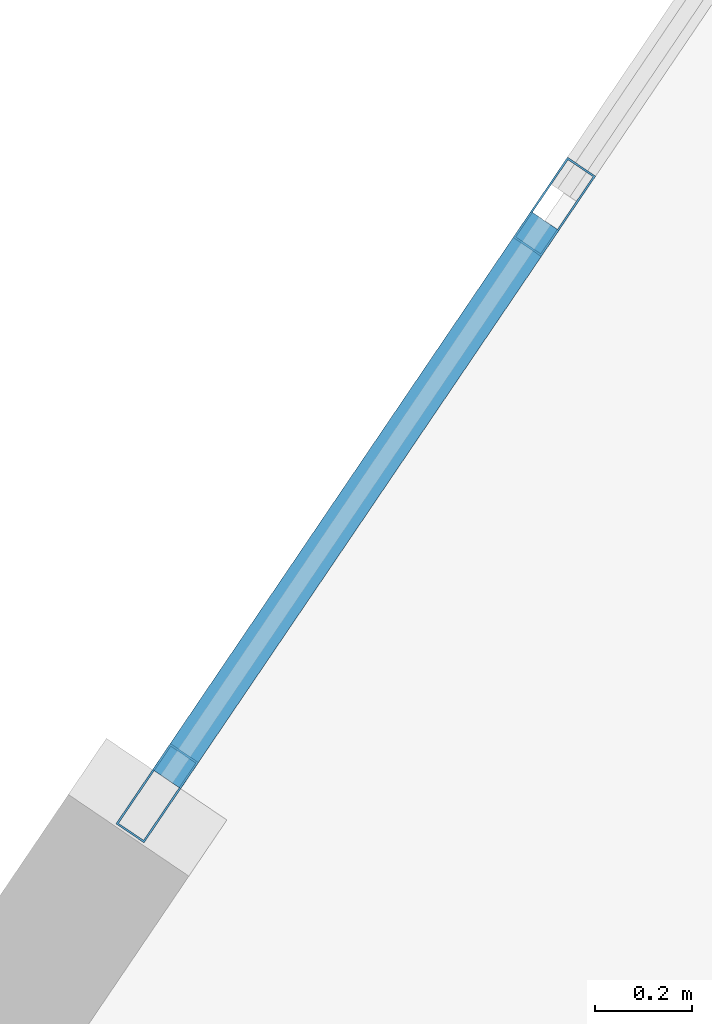
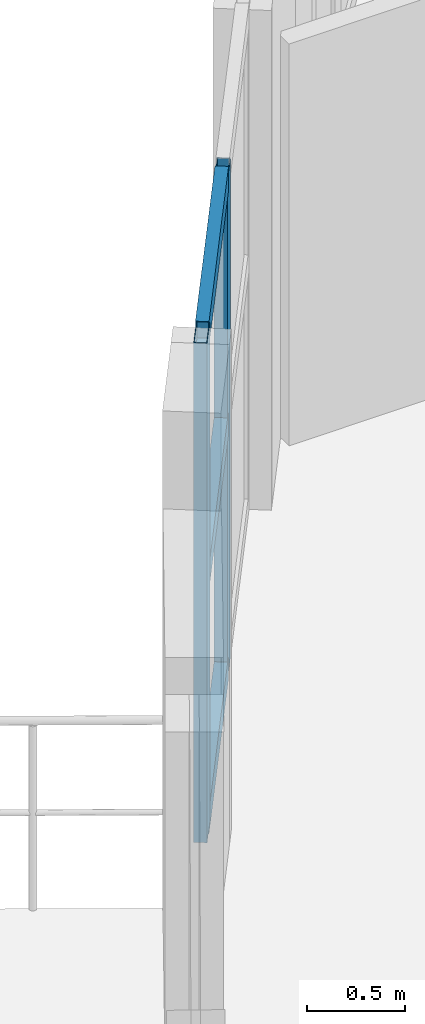
# One storey, part 4 of 17: 5 members, 1 element without a shape of its own.
"""IFC4 building model written with IfcOpenShell, lengths in metres."""

from ifc_helpers import new_model, si_unit, direction, frame, origin, origin_2d, place, context, subcontext, project, spatial, hollow_rectangle, extrude, material, layer, layer_set, material_profile, profile_set, type_object, element, aggregate, save


model = new_model("IFC4")

# Units and contexts
model_context = context("Model", 3, precision=1e-05, world=origin(), true_north=direction((0.0, 1.0)))
body_context = subcontext(model_context, "Body", "Model", "MODEL_VIEW")
ifc_project = project(units=[si_unit("LENGTHUNIT", "METRE"), si_unit("AREAUNIT", "SQUARE_METRE"), si_unit("VOLUMEUNIT", "CUBIC_METRE"), si_unit("PLANEANGLEUNIT", "RADIAN"), si_unit("MASSUNIT", "GRAM", prefix="KILO")], contexts=[model_context])

# Site, building, storey
site_placement = place(None, origin())
site = spatial("IfcSite", under=ifc_project, at=site_placement, CompositionType="ELEMENT")
building_placement = place(site_placement, origin())
building = spatial("IfcBuilding", under=site, at=building_placement, Name="Miruveldt Soraemaru", CompositionType="ELEMENT")
storey_placement = place(building_placement, frame((0.0, 0.0, 53.0)))
storey = spatial("IfcBuildingStorey", under=building, at=storey_placement, Name="L14", CompositionType="ELEMENT", Elevation=53.0)

# Curtain wall, members
ifc_material = material(Name="Anodised aluminium EN AW-6063 T6", Category="aluminium")
ifc_layer = layer(ifc_material, 0.199951171875, Name="Anodised aluminium EN AW-6063 T6", Category="aluminium")
ifc_layer_set = layer_set([ifc_layer], Name="Anodised aluminium EN AW-6063 T6")
curtain_wall_type = type_object("IfcCurtainWallType", Name="CW-SYS-3", PredefinedType="USERDEFINED", material=ifc_layer_set)
curtain_wall_placement = place(storey_placement, origin())
curtain_wall = element("IfcCurtainWall", 1, at=curtain_wall_placement, inside=storey, type_object=curtain_wall_type, Name="L14 Curtain Wall Bay 9", ObjectType="UNITISED GLAZING", PredefinedType="USERDEFINED")
ifc_material_profile_1 = material_profile(ifc_material, hollow_rectangle(XDim=0.070068359375, YDim=0.199951171875, WallThickness=0.00390625, at=origin_2d()), Name="Anodised aluminium EN AW-6063 T6", Category="aluminium")
ifc_profile_set_1 = profile_set([ifc_material_profile_1], Name="Anodised aluminium EN AW-6063 T6")
member_type_1 = type_object("IfcMemberType", Name="CWM-3", PredefinedType="MULLION", material=ifc_profile_set_1)
member_1_placement = place(storey_placement, frame((31.165771484375, 59.9111328125, 0.0), z_axis=(0.0, 0.0, 1.0), x_axis=(0.827928205104, -0.560834099529, 0.0)))
member_1 = element("IfcMember", 2, at=member_1_placement, type_object=member_type_1, Name="CW-3 mullion 2", PredefinedType="MULLION", context=body_context, shape_type="SweptSolid", body=[
    extrude(hollow_rectangle(XDim=0.070068359375, YDim=0.199951171875, WallThickness=0.00390625, at=origin_2d()), origin(), (0.0, 0.0, 1.0), 3.125),
])
member_2_placement = place(storey_placement, frame((30.3466796875, 58.701904296875, 0.0), z_axis=(0.0, 0.0, 1.0), x_axis=(0.827928205104, -0.560834099529, 0.0)))
member_2 = element("IfcMember", 3, at=member_2_placement, type_object=member_type_1, Name="CW-3 mullion 3", PredefinedType="MULLION", context=body_context, shape_type="SweptSolid", body=[
    extrude(hollow_rectangle(XDim=0.070068359375, YDim=0.199951171875, WallThickness=0.00390625, at=origin_2d()), origin(), (0.0, 0.0, 1.0), 3.125),
])
ifc_material_profile_2 = material_profile(ifc_material, hollow_rectangle(XDim=0.070068359375, YDim=0.14990234375, WallThickness=0.00390625, at=origin_2d()), Name="Anodised aluminium EN AW-6063 T6", Category="aluminium")
ifc_profile_set_2 = profile_set([ifc_material_profile_2], Name="Anodised aluminium EN AW-6063 T6")
member_type_2 = type_object("IfcMemberType", Name="CWT-3", PredefinedType="USERDEFINED", material=ifc_profile_set_2)
member_3_placement = place(storey_placement, frame((31.146240234375, 59.882080078125, 0.034912109375), z_axis=(-0.56096460572, -0.827839785906, 0.0), x_axis=(0.827839785906, -0.56096460572, 0.0)))
member_3 = element("IfcMember", 4, at=member_3_placement, type_object=member_type_2, Name="CW-3 transom 2.1", ObjectType="TRANSOM", PredefinedType="USERDEFINED", context=body_context, shape_type="SweptSolid", body=[
    extrude(hollow_rectangle(XDim=0.070068359375, YDim=0.14990234375, WallThickness=0.00390625, at=origin_2d()), origin(), (0.0, 0.0, 1.0), 1.390625),
])
member_4_placement = place(storey_placement, frame((31.146240234375, 59.882080078125, 1.5625), z_axis=(-0.56096460572, -0.827839785906, 0.0), x_axis=(0.827839785906, -0.56096460572, 0.0)))
member_4 = element("IfcMember", 5, at=member_4_placement, type_object=member_type_2, Name="CW-3 transom 2.2", ObjectType="TRANSOM", PredefinedType="USERDEFINED", context=body_context, shape_type="SweptSolid", body=[
    extrude(hollow_rectangle(XDim=0.070068359375, YDim=0.14990234375, WallThickness=0.00390625, at=origin_2d()), origin(), (0.0, 0.0, 1.0), 1.390625),
])
member_5_placement = place(storey_placement, frame((31.146240234375, 59.882080078125, 3.090087890625), z_axis=(-0.56096460572, -0.827839785906, 0.0), x_axis=(0.827839785906, -0.56096460572, 0.0)))
member_5 = element("IfcMember", 6, at=member_5_placement, type_object=member_type_2, Name="CW-3 transom 2.3", ObjectType="TRANSOM", PredefinedType="USERDEFINED", context=body_context, shape_type="SweptSolid", body=[
    extrude(hollow_rectangle(XDim=0.070068359375, YDim=0.14990234375, WallThickness=0.00390625, at=origin_2d()), origin(), (0.0, 0.0, 1.0), 1.390625),
])
aggregate(curtain_wall, [member_1, member_2, member_3, member_4, member_5])

save(model, "model.ifc")
